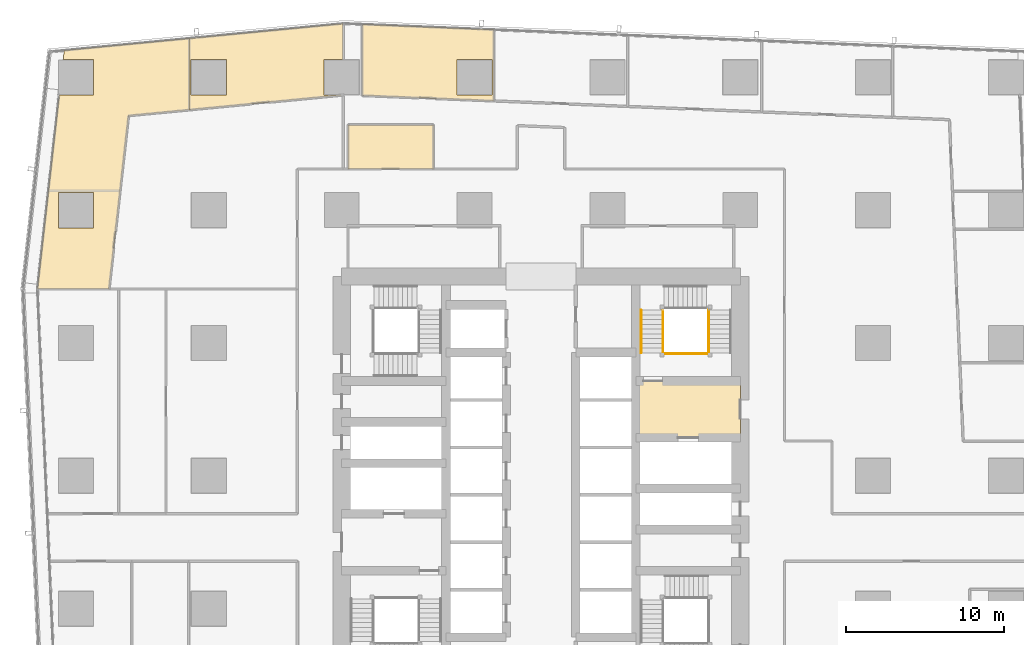
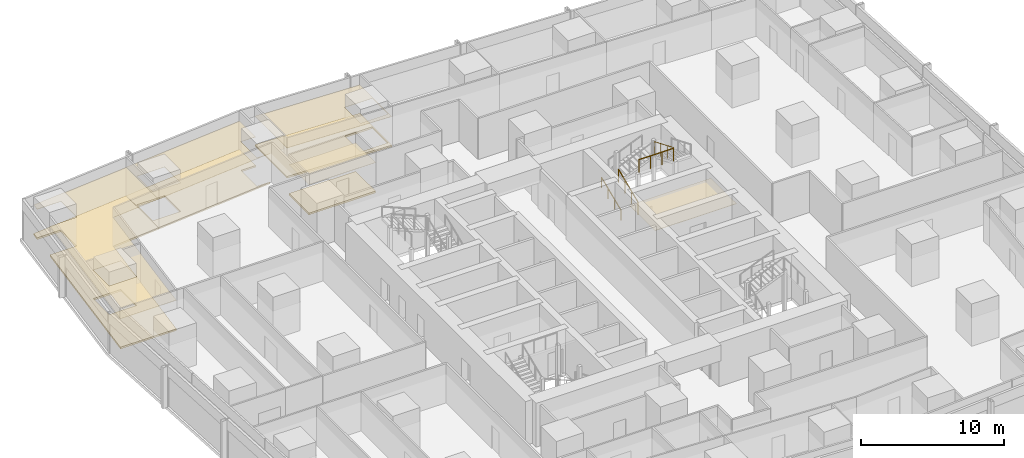
# One storey, part 43 of 45: 9 coverings, 4 railings.
"""IFC4 building model written with IfcOpenShell, lengths in metres."""

from ifc_helpers import new_model, si_unit, direction, frame, origin, origin_2d, place, context, subcontext, project, spatial, polyline, circle, outline, extrude, material, layer, layer_set, type_object, element, save


model = new_model("IFC4")

# Units and contexts
model_context = context("Model", 3, precision=1e-05, world=origin(), true_north=direction((0.0, 1.0)))
body_context = subcontext(model_context, "Body", "Model", "MODEL_VIEW")
ifc_project = project(units=[si_unit("LENGTHUNIT", "METRE"), si_unit("AREAUNIT", "SQUARE_METRE"), si_unit("VOLUMEUNIT", "CUBIC_METRE"), si_unit("PLANEANGLEUNIT", "RADIAN"), si_unit("MASSUNIT", "GRAM", prefix="KILO")], contexts=[model_context])

# Site, building, storey
site_placement = place(None, origin())
site = spatial("IfcSite", under=ifc_project, at=site_placement, CompositionType="ELEMENT")
building_placement = place(site_placement, origin())
building = spatial("IfcBuilding", under=site, at=building_placement, Name="Rekha Terrace Tower", CompositionType="ELEMENT")
storey_placement = place(building_placement, frame((0.0, 0.0, 32.89990234375)))
storey = spatial("IfcBuildingStorey", under=building, at=storey_placement, Name="L07", CompositionType="ELEMENT", Elevation=32.89990234375)

# Coverings
ifc_material_1 = material(Name="Mineral fibre tile in exposed grid", Category="finish")
ifc_layer_1 = layer(ifc_material_1, 0.02001953125)
ifc_layer_set_1 = layer_set([ifc_layer_1], Name="Mineral fibre tile in exposed grid")
covering_type_1 = type_object("IfcCoveringType", Name="CL1 600x1200 office grid ceiling", PredefinedType="CEILING", material=ifc_layer_set_1)
covering_1_placement = place(storey_placement, frame((0.0, 0.0, 2.580078125)))
element("IfcCovering", 1, at=covering_1_placement, inside=storey, type_object=covering_type_1, Name="Ceiling L07-16", PredefinedType="CEILING", context=body_context, shape_type="SweptSolid", body=[
    extrude(outline(polyline([(34.800048828125, 57.305908203125), (34.800048828125, 61.80908203125), (26.510009765625, 62.15087890625), (26.510009765625, 57.64697265625), (34.800048828125, 57.305908203125)]), holes=[polyline([(34.715087890625, 57.68505859375), (32.485107421875, 57.68505859375), (32.485107421875, 59.9150390625), (34.715087890625, 59.9150390625), (34.715087890625, 57.68505859375)])]), origin(), (0.0, 0.0, 1.0), 0.02001953125),
])
covering_2_placement = place(storey_placement, frame((0.0, 0.0, 2.580078125)))
element("IfcCovering", 2, at=covering_2_placement, inside=storey, type_object=covering_type_1, Name="Ceiling L07-17", PredefinedType="CEILING", context=body_context, shape_type="SweptSolid", body=[
    extrude(outline(polyline([(31.0, 53.0), (31.0, 55.794921875), (25.60009765625, 55.794921875), (25.60009765625, 53.0), (31.0, 53.0)])), origin(), (0.0, 0.0, 1.0), 0.02001953125),
])
covering_3_placement = place(storey_placement, frame((0.0, 0.0, 2.580078125)))
element("IfcCovering", 3, at=covering_3_placement, inside=storey, type_object=covering_type_1, Name="Ceiling L07-18", PredefinedType="CEILING", context=body_context, shape_type="SweptSolid", body=[
    extrude(outline(polyline([(25.14599609375, 57.662109375), (25.14501953125, 57.68505859375), (24.0849609375, 57.68505859375), (24.0849609375, 59.9150390625), (25.2900390625, 59.9150390625), (25.2900390625, 62.197021484375), (15.572998046875, 61.261962890625), (15.572998046875, 56.741943359375), (25.14599609375, 57.662109375)]), holes=[polyline([(17.9150390625, 57.68505859375), (15.68505859375, 57.68505859375), (15.68505859375, 59.9150390625), (17.9150390625, 59.9150390625), (17.9150390625, 57.68505859375)])]), origin(), (0.0, 0.0, 1.0), 0.02001953125),
])
covering_4_placement = place(storey_placement, frame((0.0, 0.0, 2.580078125)))
element("IfcCovering", 4, at=covering_4_placement, inside=storey, type_object=covering_type_1, Name="Ceiling L07-19", PredefinedType="CEILING", context=body_context, shape_type="SweptSolid", body=[
    extrude(outline(polyline([(9.514892578125, 57.68505859375), (7.339111328125, 57.68505859375), (6.656982421875, 51.615966796875), (5.958984375, 45.412109375), (10.488037109375, 45.412109375), (11.18505859375, 51.6201171875), (11.718994140625, 56.37109375), (15.572021484375, 56.740966796875), (15.572021484375, 61.261962890625), (7.655029296875, 60.5009765625), (7.589111328125, 59.9150390625), (9.514892578125, 59.9150390625), (9.514892578125, 57.68505859375)]), holes=[polyline([(9.514892578125, 51.514892578125), (9.514892578125, 49.284912109375), (7.284912109375, 49.284912109375), (7.284912109375, 51.514892578125), (9.514892578125, 51.514892578125)])]), origin(), (0.0, 0.0, 1.0), 0.02001953125),
])
ifc_material_2 = material(Name="Powder-coated aluminium pan", Category="aluminium")
ifc_layer_2 = layer(ifc_material_2, 0.030029296875)
ifc_layer_set_2 = layer_set([ifc_layer_2], Name="Powder-coated aluminium pan")
covering_type_2 = type_object("IfcCoveringType", Name="CL3 300x1200 metal pan ceiling", PredefinedType="CEILING", material=ifc_layer_set_2)
covering_5_placement = place(storey_placement, frame((0.0, 0.0, 2.570068359375)))
element("IfcCovering", 5, at=covering_5_placement, inside=storey, type_object=covering_type_2, Name="Ceiling L07-FLB2", PredefinedType="CEILING", context=body_context, shape_type="SweptSolid", body=[
    extrude(outline(polyline([(50.39990234375, 39.60009765625), (43.800048828125, 39.60009765625), (43.800048828125, 36.0), (50.39990234375, 36.0), (50.39990234375, 39.60009765625)])), origin(), (0.0, 0.0, 1.0), 0.030029296875),
])

# Railings
ifc_material_3 = material(Name="Stainless steel balustrade", Category="steel")
railing_type_1 = type_object("IfcRailingType", Name="GR1 1100 stair guard", PredefinedType="GUARDRAIL", material=ifc_material_3)
railing_1_placement = place(storey_placement, frame((45.514892578125, 41.375, 0.125)))
element("IfcRailing", 6, at=railing_1_placement, inside=storey, type_object=railing_type_1, Name="Guard ST2 L07 flight 1", PredefinedType="GUARDRAIL", context=body_context, shape_type="SweptSolid", body=[
    extrude(circle(Radius=0.02392578125, at=origin_2d()), frame((0.0, 0.0, 1.076171875), z_axis=(0.0, 0.923074453586, 0.384621311341), x_axis=(-1.0, 0.0, 0.0)), (0.0, 0.0, 1.0), 2.925048828125),
    extrude(circle(Radius=0.02099609375, at=origin_2d()), origin(), (0.0, 0.0, 1.0), 1.052001953125),
    extrude(circle(Radius=0.02099609375, at=origin_2d()), frame((0.0, 0.89990234375, 0.375)), (0.0, 0.0, 1.0), 1.052001953125),
    extrude(circle(Radius=0.02099609375, at=origin_2d()), frame((0.0, 1.800048828125, 0.75)), (0.0, 0.0, 1.0), 1.052001953125),
    extrude(circle(Radius=0.02099609375, at=origin_2d()), frame((0.0, 2.699951171875, 1.125)), (0.0, 0.0, 1.0), 1.052001953125),
])
railing_2_placement = place(storey_placement, frame((48.409912109375, 44.074951171875, 2.625)))
element("IfcRailing", 7, at=railing_2_placement, inside=storey, type_object=railing_type_1, Name="Guard ST2 L07 flight 3", PredefinedType="GUARDRAIL", context=body_context, shape_type="SweptSolid", body=[
    extrude(circle(Radius=0.02392578125, at=origin_2d()), frame((0.0, 0.0, 1.076171875), z_axis=(0.0, -0.923074453586, 0.384621311341), x_axis=(1.0, 0.0, 0.0)), (0.0, 0.0, 1.0), 2.925048828125),
    extrude(circle(Radius=0.02099609375, at=origin_2d()), origin(), (0.0, 0.0, 1.0), 1.052001953125),
    extrude(circle(Radius=0.02099609375, at=origin_2d()), frame((0.0, -0.89990234375, 0.375)), (0.0, 0.0, 1.0), 1.052001953125),
    extrude(circle(Radius=0.02099609375, at=origin_2d()), frame((0.0, -1.800048828125, 0.75)), (0.0, 0.0, 1.0), 1.052001953125),
    extrude(circle(Radius=0.02099609375, at=origin_2d()), frame((0.0, -2.699951171875, 1.125)), (0.0, 0.0, 1.0), 1.052001953125),
])
railing_3_placement = place(storey_placement, frame((45.574951171875, 41.31494140625, 3.75)))
element("IfcRailing", 8, at=railing_3_placement, inside=storey, type_object=railing_type_1, Name="Guard ST2 L07 landing 4", PredefinedType="GUARDRAIL", context=body_context, shape_type="SweptSolid", body=[
    extrude(circle(Radius=0.02392578125, at=origin_2d()), frame((0.0, 0.0, 1.076171875), z_axis=(1.0, 0.0, 0.0), x_axis=(0.0, 1.0, 0.0)), (0.0, 0.0, 1.0), 2.775146484375),
    extrude(circle(Radius=0.02099609375, at=origin_2d()), origin(), (0.0, 0.0, 1.0), 1.052001953125),
    extrude(circle(Radius=0.02099609375, at=origin_2d()), frame((0.925048828125, 0.0, 0.0)), (0.0, 0.0, 1.0), 1.052001953125),
    extrude(circle(Radius=0.02099609375, at=origin_2d()), frame((1.85009765625, 0.0, 0.0)), (0.0, 0.0, 1.0), 1.052001953125),
    extrude(circle(Radius=0.02099609375, at=origin_2d()), frame((2.775146484375, 0.0, 0.0)), (0.0, 0.0, 1.0), 1.052001953125),
])
ifc_material_4 = material(Name="Stainless steel tube", Category="steel")
railing_type_2 = type_object("IfcRailingType", Name="HR1 900 stair handrail", PredefinedType="HANDRAIL", material=ifc_material_4)
railing_4_placement = place(storey_placement, frame((44.135009765625, 41.375, 0.125)))
element("IfcRailing", 9, at=railing_4_placement, inside=storey, type_object=railing_type_2, Name="Handrail ST2 L07 flight 1", PredefinedType="HANDRAIL", context=body_context, shape_type="SweptSolid", body=[
    extrude(circle(Radius=0.02392578125, at=origin_2d()), frame((0.0, 0.0, 0.8759765625), z_axis=(0.0, 0.923074453586, 0.384621311341), x_axis=(-1.0, 0.0, 0.0)), (0.0, 0.0, 1.0), 2.925048828125),
    extrude(circle(Radius=0.02099609375, at=origin_2d()), origin(), (0.0, 0.0, 1.0), 0.851806640625),
    extrude(circle(Radius=0.02099609375, at=origin_2d()), frame((0.0, 0.89990234375, 0.375)), (0.0, 0.0, 1.0), 0.851806640625),
    extrude(circle(Radius=0.02099609375, at=origin_2d()), frame((0.0, 1.800048828125, 0.75)), (0.0, 0.0, 1.0), 0.851806640625),
    extrude(circle(Radius=0.02099609375, at=origin_2d()), frame((0.0, 2.699951171875, 1.125)), (0.0, 0.0, 1.0), 0.851806640625),
])

# Coverings
ifc_material_5 = material(Name="Calcium sulphate panels on steel pedestals", Category="steel")
ifc_layer_3 = layer(ifc_material_5, 0.14990234375)
ifc_layer_set_3 = layer_set([ifc_layer_3], Name="Calcium sulphate panels on steel pedestals")
covering_type_3 = type_object("IfcCoveringType", Name="RF1 150 raised access floor", PredefinedType="FLOORING", material=ifc_layer_set_3)
covering_6_placement = place(storey_placement, origin())
element("IfcCovering", 10, at=covering_6_placement, inside=storey, type_object=covering_type_3, Name="Raised floor L07-16", PredefinedType="FLOORING", context=body_context, shape_type="SweptSolid", body=[
    extrude(outline(polyline([(34.800048828125, 57.305908203125), (34.800048828125, 61.80908203125), (26.510009765625, 62.15087890625), (26.510009765625, 57.64697265625), (34.800048828125, 57.305908203125)]), holes=[polyline([(34.715087890625, 57.68505859375), (32.485107421875, 57.68505859375), (32.485107421875, 59.9150390625), (34.715087890625, 59.9150390625), (34.715087890625, 57.68505859375)])]), origin(), (0.0, 0.0, 1.0), 0.150146484375),
])
covering_7_placement = place(storey_placement, origin())
element("IfcCovering", 11, at=covering_7_placement, inside=storey, type_object=covering_type_3, Name="Raised floor L07-17", PredefinedType="FLOORING", context=body_context, shape_type="SweptSolid", body=[
    extrude(outline(polyline([(31.0, 53.0), (31.0, 55.794921875), (25.60009765625, 55.794921875), (25.60009765625, 53.0), (31.0, 53.0)])), origin(), (0.0, 0.0, 1.0), 0.150146484375),
])
covering_8_placement = place(storey_placement, origin())
element("IfcCovering", 12, at=covering_8_placement, inside=storey, type_object=covering_type_3, Name="Raised floor L07-18", PredefinedType="FLOORING", context=body_context, shape_type="SweptSolid", body=[
    extrude(outline(polyline([(25.14599609375, 57.662109375), (25.14501953125, 57.68505859375), (24.0849609375, 57.68505859375), (24.0849609375, 59.9150390625), (25.2900390625, 59.9150390625), (25.2900390625, 62.197021484375), (15.572998046875, 61.261962890625), (15.572998046875, 56.741943359375), (25.14599609375, 57.662109375)]), holes=[polyline([(17.9150390625, 57.68505859375), (15.68505859375, 57.68505859375), (15.68505859375, 59.9150390625), (17.9150390625, 59.9150390625), (17.9150390625, 57.68505859375)])]), origin(), (0.0, 0.0, 1.0), 0.150146484375),
])
covering_9_placement = place(storey_placement, origin())
element("IfcCovering", 13, at=covering_9_placement, inside=storey, type_object=covering_type_3, Name="Raised floor L07-19", PredefinedType="FLOORING", context=body_context, shape_type="SweptSolid", body=[
    extrude(outline(polyline([(9.514892578125, 57.68505859375), (7.339111328125, 57.68505859375), (6.656982421875, 51.615966796875), (5.958984375, 45.412109375), (10.488037109375, 45.412109375), (11.18505859375, 51.6201171875), (11.718994140625, 56.37109375), (15.572021484375, 56.740966796875), (15.572021484375, 61.261962890625), (7.655029296875, 60.5009765625), (7.589111328125, 59.9150390625), (9.514892578125, 59.9150390625), (9.514892578125, 57.68505859375)]), holes=[polyline([(9.514892578125, 51.514892578125), (9.514892578125, 49.284912109375), (7.284912109375, 49.284912109375), (7.284912109375, 51.514892578125), (9.514892578125, 51.514892578125)])]), origin(), (0.0, 0.0, 1.0), 0.150146484375),
])

save(model, "model.ifc")
